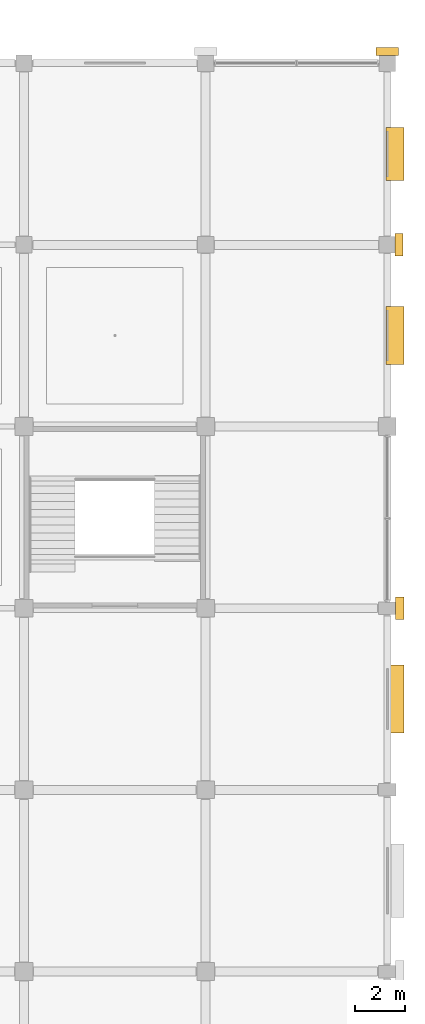
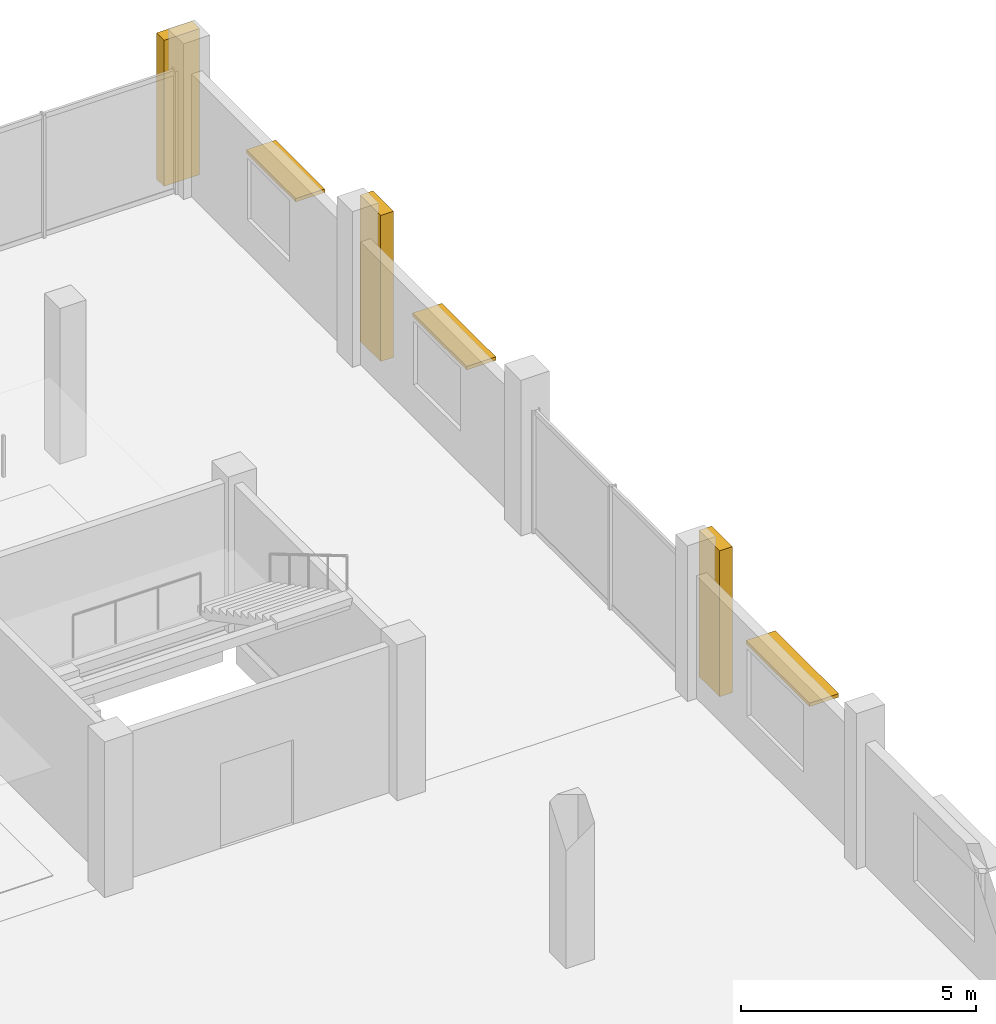
# One storey, part 91 of 91: 3 coverings, 3 shading devices.
"""IFC4 building model written with IfcOpenShell, lengths in metres."""

from ifc_helpers import new_model, si_unit, direction, frame, origin, origin_2d, place, context, subcontext, project, spatial, polyline, rectangle, outline, extrude, material, layer, layer_set, type_object, element, save


model = new_model("IFC4")

# Units and contexts
model_context = context("Model", 3, precision=1e-05, world=origin(), true_north=direction((0.0, 1.0)))
body_context = subcontext(model_context, "Body", "Model", "MODEL_VIEW")
ifc_project = project(units=[si_unit("LENGTHUNIT", "METRE"), si_unit("AREAUNIT", "SQUARE_METRE"), si_unit("VOLUMEUNIT", "CUBIC_METRE"), si_unit("PLANEANGLEUNIT", "RADIAN"), si_unit("MASSUNIT", "GRAM", prefix="KILO")], contexts=[model_context])

# Site, building, storey
site_placement = place(None, origin())
site = spatial("IfcSite", under=ifc_project, at=site_placement, CompositionType="ELEMENT")
building_placement = place(site_placement, origin())
building = spatial("IfcBuilding", under=site, at=building_placement, Name="Kangsadwip Square Police Headquarters", CompositionType="ELEMENT")
storey_placement = place(building_placement, frame((0.0, 0.0, 13.5)))
storey = spatial("IfcBuildingStorey", under=building, at=storey_placement, Name="L03", CompositionType="ELEMENT", Elevation=13.5)

# Coverings
ifc_material_1 = material(Name="Glazed architectural terracotta masonry rainscreen", Category="masonry")
ifc_layer = layer(ifc_material_1, 0.034912109375)
ifc_layer_set = layer_set([ifc_layer], Name="Glazed architectural terracotta masonry rainscreen")
covering_type = type_object("IfcCoveringType", Name="TerracottaPierCladding", PredefinedType="CLADDING", material=ifc_layer_set)
covering_1_placement = place(storey_placement, origin())
element("IfcCovering", 1, at=covering_1_placement, inside=storey, type_object=covering_type, Name="Terracotta Pier Cladding L03-094", PredefinedType="CLADDING", context=body_context, shape_type="SweptSolid", body=[
    extrude(outline(polyline([(165.929931640625, 93.159912109375), (166.25, 93.159912109375), (166.25, 94.0400390625), (165.929931640625, 94.0400390625), (165.929931640625, 93.159912109375)])), origin(), (0.0, 0.0, 1.0), 3.800048828125),
])
covering_2_placement = place(storey_placement, origin())
element("IfcCovering", 2, at=covering_2_placement, inside=storey, type_object=covering_type, Name="Terracotta Pier Cladding L03-095", PredefinedType="CLADDING", context=body_context, shape_type="SweptSolid", body=[
    extrude(outline(polyline([(165.905029296875, 107.56005859375), (166.22509765625, 107.56005859375), (166.22509765625, 108.43994140625), (165.905029296875, 108.43994140625), (165.905029296875, 107.56005859375)])), origin(), (0.0, 0.0, 1.0), 3.800048828125),
])
covering_3_placement = place(storey_placement, origin())
element("IfcCovering", 3, at=covering_3_placement, inside=storey, type_object=covering_type, Name="Terracotta Pier Cladding L03-101", PredefinedType="CLADDING", context=body_context, shape_type="SweptSolid", body=[
    extrude(outline(polyline([(165.159912109375, 115.5048828125), (166.0400390625, 115.5048828125), (166.0400390625, 115.824951171875), (165.159912109375, 115.824951171875), (165.159912109375, 115.5048828125)])), origin(), (0.0, 0.0, 1.0), 3.800048828125),
])

# Shading devices
ifc_material_2 = material(Name="Architectural terracotta and anodised aluminium AW-6061-T6", Category="aluminium")
shading_device_type = type_object("IfcShadingDeviceType", Name="TerracottaChhajjaAwning", PredefinedType="AWNING", material=ifc_material_2)
shading_device_1_placement = place(storey_placement, frame((165.89990234375, 90.0, 2.61474609375), z_axis=(0.0, 0.0, 1.0), x_axis=(0.0, 1.0, 0.0)))
element("IfcShadingDevice", 4, at=shading_device_1_placement, inside=storey, type_object=shading_device_type, Name="Terracotta Chhajja Hood CHJ-L03-0206", PredefinedType="AWNING", context=body_context, shape_type="SweptSolid", body=[
    extrude(rectangle(XDim=2.699951171875, YDim=0.719970703125, at=origin_2d()), origin(), (0.0, 0.0, 1.0), 0.090087890625),
])
shading_device_2_placement = place(storey_placement, frame((165.89990234375, 104.41259765625, 2.51513671875), z_axis=(0.0, 0.0, 1.0), x_axis=(0.0, 1.0, 0.0)))
element("IfcShadingDevice", 5, at=shading_device_2_placement, inside=storey, type_object=shading_device_type, Name="Terracotta Chhajja Hood CHJ-L03-0207", PredefinedType="AWNING", context=body_context, shape_type="SweptSolid", body=[
    extrude(rectangle(XDim=2.300048828125, YDim=0.719970703125, at=origin_2d()), origin(), (0.0, 0.0, 1.0), 0.090087890625),
])
shading_device_3_placement = place(storey_placement, frame((165.89990234375, 111.60009765625, 2.46484375), z_axis=(0.0, 0.0, 1.0), x_axis=(0.0, 1.0, 0.0)))
element("IfcShadingDevice", 6, at=shading_device_3_placement, inside=storey, type_object=shading_device_type, Name="Terracotta Chhajja Hood CHJ-L03-0208", PredefinedType="AWNING", context=body_context, shape_type="SweptSolid", body=[
    extrude(rectangle(XDim=2.10009765625, YDim=0.719970703125, at=origin_2d()), origin(), (0.0, 0.0, 1.0), 0.090087890625),
])

save(model, "model.ifc")
